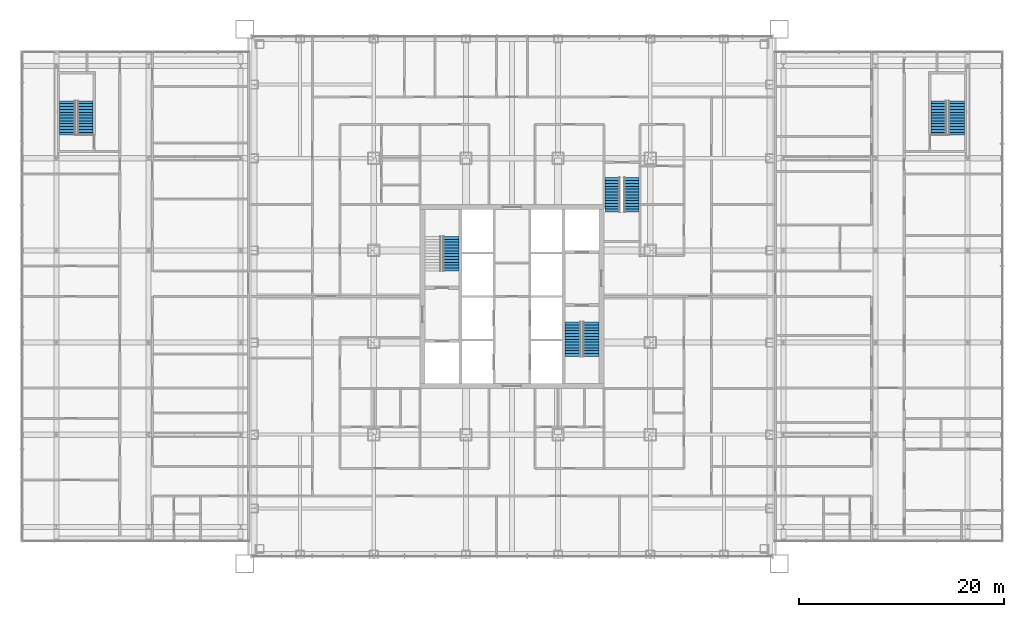
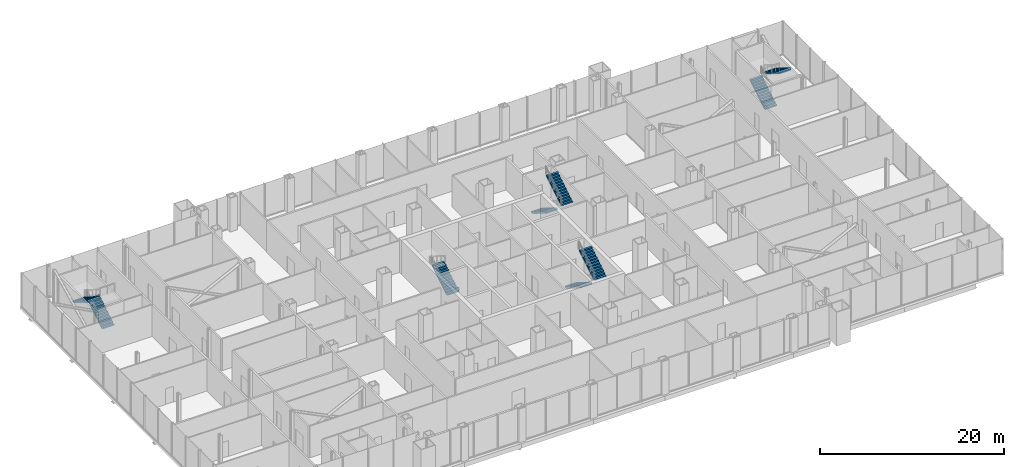
# One storey, part 21 of 25: 9 stair flights, 5 elements without a shape of their own.
"""IFC4 building model written with IfcOpenShell, lengths in metres."""

from ifc_helpers import new_model, si_unit, direction, frame, origin, place, context, subcontext, project, spatial, polyline, outline, extrude, material, type_object, element, aggregate, save


model = new_model("IFC4")

# Units and contexts
model_context = context("Model", 3, precision=1e-05, world=origin(), true_north=direction((0.0, 1.0)))
body_context = subcontext(model_context, "Body", "Model", "MODEL_VIEW")
ifc_project = project(units=[si_unit("LENGTHUNIT", "METRE"), si_unit("AREAUNIT", "SQUARE_METRE"), si_unit("VOLUMEUNIT", "CUBIC_METRE"), si_unit("PLANEANGLEUNIT", "RADIAN"), si_unit("MASSUNIT", "GRAM", prefix="KILO")], contexts=[model_context])

# Site, building, storey
site_placement = place(None, origin())
site = spatial("IfcSite", under=ifc_project, at=site_placement, CompositionType="ELEMENT")
building_placement = place(site_placement, origin())
building = spatial("IfcBuilding", under=site, at=building_placement, Name="Malebo Sky Hospital", CompositionType="ELEMENT")
storey_placement = place(building_placement, frame((0.0, 0.0, 16.5)))
storey = spatial("IfcBuildingStorey", under=building, at=storey_placement, Name="L03", CompositionType="ELEMENT", Elevation=16.5)

# Stair, stair flights
ifc_material = material(Name="Concrete C40/50", Category="concrete")
stair_type_1 = type_object("IfcStairType", Name="HALF-TURN STAIR 1400 R173", PredefinedType="HALF_TURN_STAIR", material=ifc_material)
stair_1_placement = place(storey_placement, origin())
stair_1 = element("IfcStair", 1, at=stair_1_placement, inside=storey, type_object=stair_type_1, Name="Stair S3 L03 type ST3B", PredefinedType="HALF_TURN_STAIR")
stair_flight_type_1 = type_object("IfcStairFlightType", Name="STAIR FLIGHT 1400 R173", PredefinedType="STRAIGHT", material=ifc_material)
stair_flight_1_placement = place(storey_placement, frame((69.800048828125, 73.60009765625, 0.0), z_axis=(0.0, 0.0, 1.0), x_axis=(0.0, -1.0, 0.0)))
stair_flight_1 = element("IfcStairFlight", 2, at=stair_flight_1_placement, type_object=stair_flight_type_1, Name="S3 flight 1 type SF3B", NumberOfRisers=13, NumberOfTreads=12, PredefinedType="STRAIGHT", RiserHeight=0.173076923, TreadLength=0.28, context=body_context, shape_type="SweptSolid", body=[
    extrude(outline(polyline([(0.0, 0.0), (0.0, 0.173095703125), (0.280029296875, 0.173095703125), (0.280029296875, 0.34619140625), (0.56005859375, 0.34619140625), (0.56005859375, 0.519287109375), (0.840087890625, 0.519287109375), (0.840087890625, 0.6923828125), (1.1201171875, 0.6923828125), (1.1201171875, 0.865478515625), (1.39990234375, 0.865478515625), (1.39990234375, 1.03857421875), (1.679931640625, 1.03857421875), (1.679931640625, 1.21142578125), (1.9599609375, 1.21142578125), (1.9599609375, 1.384521484375), (2.239990234375, 1.384521484375), (2.239990234375, 1.5576171875), (2.52001953125, 1.5576171875), (2.52001953125, 1.730712890625), (2.800048828125, 1.730712890625), (2.800048828125, 1.90380859375), (3.080078125, 1.90380859375), (3.080078125, 2.076904296875), (3.360107421875, 2.076904296875), (3.360107421875, 2.25), (3.360107421875, 1.900634765625), (0.28515625, 0.0), (0.0, 0.0)])), frame((0.0, 0.699951171875, 0.0), z_axis=(0.0, -1.0, 0.0), x_axis=(1.0, 0.0, 0.0)), (0.0, 0.0, 1.0), 1.39990234375),
])
stair_flight_2_placement = place(storey_placement, frame((71.699951171875, 70.239990234375, 2.25), z_axis=(0.0, 0.0, 1.0), x_axis=(0.0, 1.0, 0.0)))
stair_flight_2 = element("IfcStairFlight", 3, at=stair_flight_2_placement, type_object=stair_flight_type_1, Name="S3 flight 2 type SF3B", NumberOfRisers=13, NumberOfTreads=12, PredefinedType="STRAIGHT", RiserHeight=0.173076923, TreadLength=0.28, context=body_context, shape_type="SweptSolid", body=[
    extrude(outline(polyline([(0.0, 0.0), (0.0, 0.173095703125), (0.280029296875, 0.173095703125), (0.280029296875, 0.34619140625), (0.56005859375, 0.34619140625), (0.56005859375, 0.519287109375), (0.840087890625, 0.519287109375), (0.840087890625, 0.6923828125), (1.1201171875, 0.6923828125), (1.1201171875, 0.865478515625), (1.39990234375, 0.865478515625), (1.39990234375, 1.03857421875), (1.679931640625, 1.03857421875), (1.679931640625, 1.21142578125), (1.9599609375, 1.21142578125), (1.9599609375, 1.384521484375), (2.239990234375, 1.384521484375), (2.239990234375, 1.5576171875), (2.52001953125, 1.5576171875), (2.52001953125, 1.730712890625), (2.800048828125, 1.730712890625), (2.800048828125, 1.90380859375), (3.080078125, 1.90380859375), (3.080078125, 2.076904296875), (3.360107421875, 2.076904296875), (3.360107421875, 2.25), (3.360107421875, 1.900634765625), (0.28515625, 0.0), (0.0, 0.0)])), frame((0.0, 0.699951171875, 0.0), z_axis=(0.0, -1.0, 0.0), x_axis=(1.0, 0.0, 0.0)), (0.0, 0.0, 1.0), 1.39990234375),
])
aggregate(stair_1, [stair_flight_1, stair_flight_2])

# Stair, stair flight
stair_type_2 = type_object("IfcStairType", Name="HALF-TURN STAIR 1500 R173", PredefinedType="HALF_TURN_STAIR", material=ifc_material)
stair_2_placement = place(storey_placement, origin())
stair_2 = element("IfcStair", 4, at=stair_2_placement, inside=storey, type_object=stair_type_2, Name="Stair S1 L03 type ST3", PredefinedType="HALF_TURN_STAIR")
stair_flight_type_2 = type_object("IfcStairFlightType", Name="STAIR FLIGHT 1500 R173", PredefinedType="STRAIGHT", material=ifc_material)
stair_flight_3_placement = place(storey_placement, frame((54.050048828125, 64.5, 0.0), z_axis=(0.0, 0.0, 1.0), x_axis=(0.0, 1.0, 0.0)))
stair_flight_3 = element("IfcStairFlight", 5, at=stair_flight_3_placement, type_object=stair_flight_type_2, Name="S1 flight 1 type SF3", NumberOfRisers=13, NumberOfTreads=12, PredefinedType="STRAIGHT", RiserHeight=0.173076923, TreadLength=0.28, context=body_context, shape_type="SweptSolid", body=[
    extrude(outline(polyline([(0.0, 0.0), (0.0, 0.173095703125), (0.280029296875, 0.173095703125), (0.280029296875, 0.34619140625), (0.56005859375, 0.34619140625), (0.56005859375, 0.519287109375), (0.840087890625, 0.519287109375), (0.840087890625, 0.6923828125), (1.1201171875, 0.6923828125), (1.1201171875, 0.865478515625), (1.39990234375, 0.865478515625), (1.39990234375, 1.03857421875), (1.679931640625, 1.03857421875), (1.679931640625, 1.21142578125), (1.9599609375, 1.21142578125), (1.9599609375, 1.384521484375), (2.239990234375, 1.384521484375), (2.239990234375, 1.5576171875), (2.52001953125, 1.5576171875), (2.52001953125, 1.730712890625), (2.800048828125, 1.730712890625), (2.800048828125, 1.90380859375), (3.080078125, 1.90380859375), (3.080078125, 2.076904296875), (3.360107421875, 2.076904296875), (3.360107421875, 2.25), (3.360107421875, 1.900634765625), (0.28515625, 0.0), (0.0, 0.0)])), frame((0.0, 0.75, 0.0), z_axis=(0.0, -1.0, 0.0), x_axis=(1.0, 0.0, 0.0)), (0.0, 0.0, 1.0), 1.5),
])
aggregate(stair_2, [stair_flight_3])

# Stair, stair flights
stair_3_placement = place(storey_placement, origin())
stair_3 = element("IfcStair", 6, at=stair_3_placement, inside=storey, type_object=stair_type_2, Name="Stair S2 L03 type ST3", PredefinedType="HALF_TURN_STAIR")
stair_flight_4_placement = place(storey_placement, frame((65.949951171875, 59.5, 0.0), z_axis=(0.0, 0.0, 1.0), x_axis=(0.0, -1.0, 0.0)))
stair_flight_4 = element("IfcStairFlight", 7, at=stair_flight_4_placement, type_object=stair_flight_type_2, Name="S2 flight 1 type SF3", NumberOfRisers=13, NumberOfTreads=12, PredefinedType="STRAIGHT", RiserHeight=0.173076923, TreadLength=0.28, context=body_context, shape_type="SweptSolid", body=[
    extrude(outline(polyline([(0.0, 0.0), (0.0, 0.173095703125), (0.280029296875, 0.173095703125), (0.280029296875, 0.34619140625), (0.56005859375, 0.34619140625), (0.56005859375, 0.519287109375), (0.840087890625, 0.519287109375), (0.840087890625, 0.6923828125), (1.1201171875, 0.6923828125), (1.1201171875, 0.865478515625), (1.39990234375, 0.865478515625), (1.39990234375, 1.03857421875), (1.679931640625, 1.03857421875), (1.679931640625, 1.21142578125), (1.9599609375, 1.21142578125), (1.9599609375, 1.384521484375), (2.239990234375, 1.384521484375), (2.239990234375, 1.5576171875), (2.52001953125, 1.5576171875), (2.52001953125, 1.730712890625), (2.800048828125, 1.730712890625), (2.800048828125, 1.90380859375), (3.080078125, 1.90380859375), (3.080078125, 2.076904296875), (3.360107421875, 2.076904296875), (3.360107421875, 2.25), (3.360107421875, 1.900634765625), (0.28515625, 0.0), (0.0, 0.0)])), frame((0.0, 0.75, 0.0), z_axis=(0.0, -1.0, 0.0), x_axis=(1.0, 0.0, 0.0)), (0.0, 0.0, 1.0), 1.5),
])
stair_flight_5_placement = place(storey_placement, frame((67.75, 56.139892578125, 2.25), z_axis=(0.0, 0.0, 1.0), x_axis=(0.0, 1.0, 0.0)))
stair_flight_5 = element("IfcStairFlight", 8, at=stair_flight_5_placement, type_object=stair_flight_type_2, Name="S2 flight 2 type SF3", NumberOfRisers=13, NumberOfTreads=12, PredefinedType="STRAIGHT", RiserHeight=0.173076923, TreadLength=0.28, context=body_context, shape_type="SweptSolid", body=[
    extrude(outline(polyline([(0.0, 0.0), (0.0, 0.173095703125), (0.280029296875, 0.173095703125), (0.280029296875, 0.34619140625), (0.56005859375, 0.34619140625), (0.56005859375, 0.519287109375), (0.840087890625, 0.519287109375), (0.840087890625, 0.6923828125), (1.1201171875, 0.6923828125), (1.1201171875, 0.865478515625), (1.39990234375, 0.865478515625), (1.39990234375, 1.03857421875), (1.679931640625, 1.03857421875), (1.679931640625, 1.21142578125), (1.9599609375, 1.21142578125), (1.9599609375, 1.384521484375), (2.239990234375, 1.384521484375), (2.239990234375, 1.5576171875), (2.52001953125, 1.5576171875), (2.52001953125, 1.730712890625), (2.800048828125, 1.730712890625), (2.800048828125, 1.90380859375), (3.080078125, 1.90380859375), (3.080078125, 2.076904296875), (3.360107421875, 2.076904296875), (3.360107421875, 2.25), (3.360107421875, 1.900634765625), (0.28515625, 0.0), (0.0, 0.0)])), frame((0.0, 0.75, 0.0), z_axis=(0.0, -1.0, 0.0), x_axis=(1.0, 0.0, 0.0)), (0.0, 0.0, 1.0), 1.5),
])
aggregate(stair_3, [stair_flight_4, stair_flight_5])

stair_4_placement = place(storey_placement, origin())
stair_4 = element("IfcStair", 9, at=stair_4_placement, inside=storey, type_object=stair_type_2, Name="Stair WS L03 type ST3", PredefinedType="HALF_TURN_STAIR")
stair_flight_6_placement = place(storey_placement, frame((18.35009765625, 77.75, 0.0), z_axis=(0.0, 0.0, 1.0), x_axis=(0.0, 1.0, 0.0)))
stair_flight_6 = element("IfcStairFlight", 10, at=stair_flight_6_placement, type_object=stair_flight_type_2, Name="WS flight 1 type SF3", NumberOfRisers=13, NumberOfTreads=12, PredefinedType="STRAIGHT", RiserHeight=0.173076923, TreadLength=0.28, context=body_context, shape_type="SweptSolid", body=[
    extrude(outline(polyline([(0.0, 0.0), (0.0, 0.173095703125), (0.280029296875, 0.173095703125), (0.280029296875, 0.34619140625), (0.56005859375, 0.34619140625), (0.56005859375, 0.519287109375), (0.840087890625, 0.519287109375), (0.840087890625, 0.6923828125), (1.1201171875, 0.6923828125), (1.1201171875, 0.865478515625), (1.39990234375, 0.865478515625), (1.39990234375, 1.03857421875), (1.679931640625, 1.03857421875), (1.679931640625, 1.21142578125), (1.9599609375, 1.21142578125), (1.9599609375, 1.384521484375), (2.239990234375, 1.384521484375), (2.239990234375, 1.5576171875), (2.52001953125, 1.5576171875), (2.52001953125, 1.730712890625), (2.800048828125, 1.730712890625), (2.800048828125, 1.90380859375), (3.080078125, 1.90380859375), (3.080078125, 2.076904296875), (3.360107421875, 2.076904296875), (3.360107421875, 2.25), (3.360107421875, 1.900634765625), (0.28515625, 0.0), (0.0, 0.0)])), frame((0.0, 0.75, 0.0), z_axis=(0.0, -1.0, 0.0), x_axis=(1.0, 0.0, 0.0)), (0.0, 0.0, 1.0), 1.5),
])
stair_flight_7_placement = place(storey_placement, frame((16.550048828125, 81.110107421875, 2.25), z_axis=(0.0, 0.0, 1.0), x_axis=(0.0, -1.0, 0.0)))
stair_flight_7 = element("IfcStairFlight", 11, at=stair_flight_7_placement, type_object=stair_flight_type_2, Name="WS flight 2 type SF3", NumberOfRisers=13, NumberOfTreads=12, PredefinedType="STRAIGHT", RiserHeight=0.173076923, TreadLength=0.28, context=body_context, shape_type="SweptSolid", body=[
    extrude(outline(polyline([(0.0, 0.0), (0.0, 0.173095703125), (0.280029296875, 0.173095703125), (0.280029296875, 0.34619140625), (0.56005859375, 0.34619140625), (0.56005859375, 0.519287109375), (0.840087890625, 0.519287109375), (0.840087890625, 0.6923828125), (1.1201171875, 0.6923828125), (1.1201171875, 0.865478515625), (1.39990234375, 0.865478515625), (1.39990234375, 1.03857421875), (1.679931640625, 1.03857421875), (1.679931640625, 1.21142578125), (1.9599609375, 1.21142578125), (1.9599609375, 1.384521484375), (2.239990234375, 1.384521484375), (2.239990234375, 1.5576171875), (2.52001953125, 1.5576171875), (2.52001953125, 1.730712890625), (2.800048828125, 1.730712890625), (2.800048828125, 1.90380859375), (3.080078125, 1.90380859375), (3.080078125, 2.076904296875), (3.360107421875, 2.076904296875), (3.360107421875, 2.25), (3.360107421875, 1.900634765625), (0.28515625, 0.0), (0.0, 0.0)])), frame((0.0, 0.75, 0.0), z_axis=(0.0, -1.0, 0.0), x_axis=(1.0, 0.0, 0.0)), (0.0, 0.0, 1.0), 1.5),
])
aggregate(stair_4, [stair_flight_6, stair_flight_7])

stair_5_placement = place(storey_placement, origin())
stair_5 = element("IfcStair", 12, at=stair_5_placement, inside=storey, type_object=stair_type_2, Name="Stair ES L03 type ST3", PredefinedType="HALF_TURN_STAIR")
stair_flight_8_placement = place(storey_placement, frame((101.64990234375, 77.75, 0.0), z_axis=(0.0, 0.0, 1.0), x_axis=(0.0, 1.0, 0.0)))
stair_flight_8 = element("IfcStairFlight", 13, at=stair_flight_8_placement, type_object=stair_flight_type_2, Name="ES flight 1 type SF3", NumberOfRisers=13, NumberOfTreads=12, PredefinedType="STRAIGHT", RiserHeight=0.173076923, TreadLength=0.28, context=body_context, shape_type="SweptSolid", body=[
    extrude(outline(polyline([(0.0, 0.0), (0.0, 0.173095703125), (0.280029296875, 0.173095703125), (0.280029296875, 0.34619140625), (0.56005859375, 0.34619140625), (0.56005859375, 0.519287109375), (0.840087890625, 0.519287109375), (0.840087890625, 0.6923828125), (1.1201171875, 0.6923828125), (1.1201171875, 0.865478515625), (1.39990234375, 0.865478515625), (1.39990234375, 1.03857421875), (1.679931640625, 1.03857421875), (1.679931640625, 1.21142578125), (1.9599609375, 1.21142578125), (1.9599609375, 1.384521484375), (2.239990234375, 1.384521484375), (2.239990234375, 1.5576171875), (2.52001953125, 1.5576171875), (2.52001953125, 1.730712890625), (2.800048828125, 1.730712890625), (2.800048828125, 1.90380859375), (3.080078125, 1.90380859375), (3.080078125, 2.076904296875), (3.360107421875, 2.076904296875), (3.360107421875, 2.25), (3.360107421875, 1.900634765625), (0.28515625, 0.0), (0.0, 0.0)])), frame((0.0, 0.75, 0.0), z_axis=(0.0, -1.0, 0.0), x_axis=(1.0, 0.0, 0.0)), (0.0, 0.0, 1.0), 1.5),
])
stair_flight_9_placement = place(storey_placement, frame((103.449951171875, 81.110107421875, 2.25), z_axis=(0.0, 0.0, 1.0), x_axis=(0.0, -1.0, 0.0)))
stair_flight_9 = element("IfcStairFlight", 14, at=stair_flight_9_placement, type_object=stair_flight_type_2, Name="ES flight 2 type SF3", NumberOfRisers=13, NumberOfTreads=12, PredefinedType="STRAIGHT", RiserHeight=0.173076923, TreadLength=0.28, context=body_context, shape_type="SweptSolid", body=[
    extrude(outline(polyline([(0.0, 0.0), (0.0, 0.173095703125), (0.280029296875, 0.173095703125), (0.280029296875, 0.34619140625), (0.56005859375, 0.34619140625), (0.56005859375, 0.519287109375), (0.840087890625, 0.519287109375), (0.840087890625, 0.6923828125), (1.1201171875, 0.6923828125), (1.1201171875, 0.865478515625), (1.39990234375, 0.865478515625), (1.39990234375, 1.03857421875), (1.679931640625, 1.03857421875), (1.679931640625, 1.21142578125), (1.9599609375, 1.21142578125), (1.9599609375, 1.384521484375), (2.239990234375, 1.384521484375), (2.239990234375, 1.5576171875), (2.52001953125, 1.5576171875), (2.52001953125, 1.730712890625), (2.800048828125, 1.730712890625), (2.800048828125, 1.90380859375), (3.080078125, 1.90380859375), (3.080078125, 2.076904296875), (3.360107421875, 2.076904296875), (3.360107421875, 2.25), (3.360107421875, 1.900634765625), (0.28515625, 0.0), (0.0, 0.0)])), frame((0.0, 0.75, 0.0), z_axis=(0.0, -1.0, 0.0), x_axis=(1.0, 0.0, 0.0)), (0.0, 0.0, 1.0), 1.5),
])
aggregate(stair_5, [stair_flight_8, stair_flight_9])

save(model, "model.ifc")
